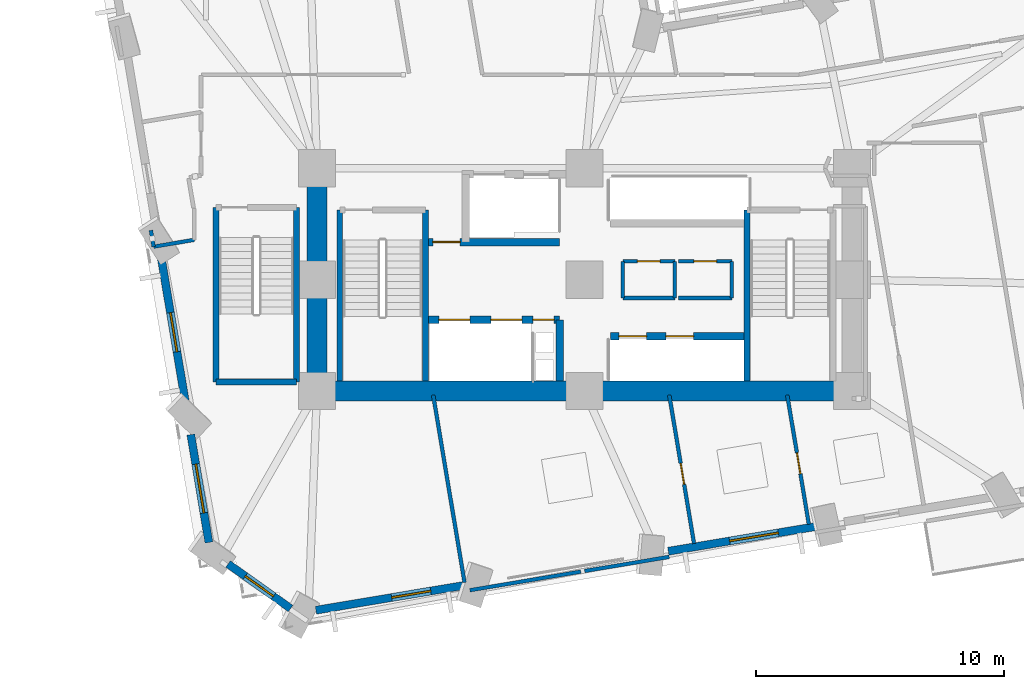
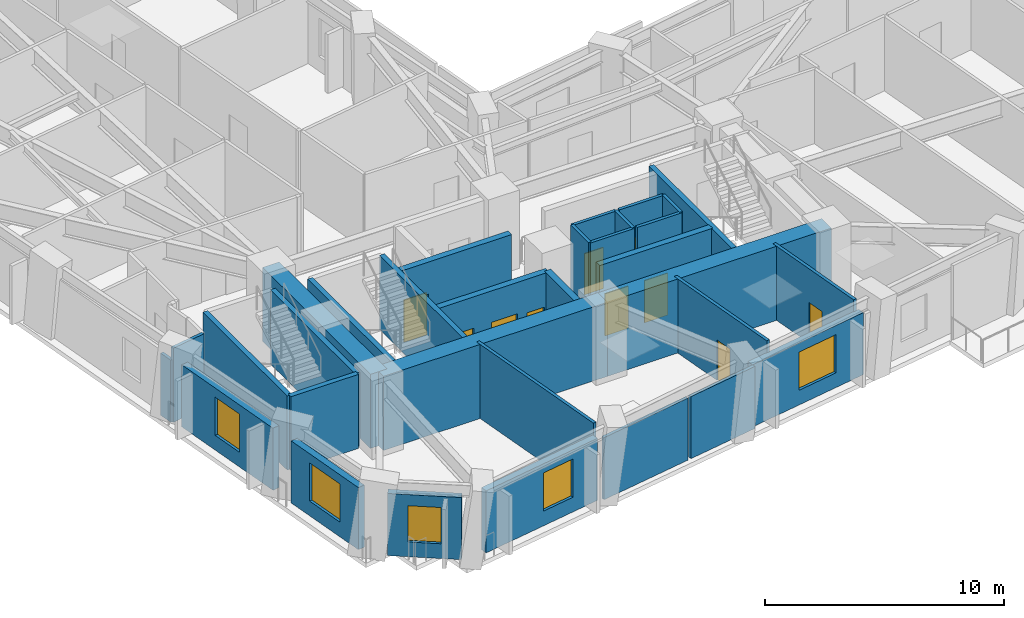
# One storey, part 8 of 16: 32 walls, 10 doors, 5 windows, 15 openings.
"""IFC4 building model written with IfcOpenShell, lengths in metres."""

from ifc_helpers import new_model, si_unit, direction, frame, frame_2d, origin, place, context, subcontext, project, spatial, rectangle, extrude, material, layer, layer_set, type_object, element, fill, save


model = new_model("IFC4")

# Units and contexts
model_context = context("Model", 3, precision=1e-05, world=origin(), true_north=direction((0.0, 1.0)))
body_context = subcontext(model_context, "Body", "Model", "MODEL_VIEW")
ifc_project = project(units=[si_unit("LENGTHUNIT", "METRE"), si_unit("AREAUNIT", "SQUARE_METRE"), si_unit("VOLUMEUNIT", "CUBIC_METRE"), si_unit("PLANEANGLEUNIT", "RADIAN"), si_unit("MASSUNIT", "GRAM", prefix="KILO")], contexts=[model_context])

# Site, building, storey
site_placement = place(None, origin())
site = spatial("IfcSite", under=ifc_project, at=site_placement, CompositionType="ELEMENT")
building_placement = place(site_placement, origin())
building = spatial("IfcBuilding", under=site, at=building_placement, Name="Gaonmaruhae Medical Tower", CompositionType="ELEMENT")
storey_placement = place(building_placement, frame((0.0, 0.0, 63.0)))
storey = spatial("IfcBuildingStorey", under=building, at=storey_placement, Name="L14", CompositionType="ELEMENT", Elevation=63.0)

# Walls
ifc_material_1 = material(Name="Concrete C60/75", Category="concrete")
ifc_layer_1 = layer(ifc_material_1, 0.800048828125)
ifc_layer_set_1 = layer_set([ifc_layer_1], Name="Concrete C60/75")
wall_type_1 = type_object("IfcWallType", Name="CW-800 Lower Core Shear Wall", PredefinedType="SHEAR", material=ifc_layer_set_1)
for number, where, z_axis, x_axis, name in (
    (1, (14.0, 7.800048828125, 0.0), (0.0, 0.0, 1.0), (1.0, 0.0, 0.0), "L14 Core Shear Wall CSW-S1"),
    (2, (24.800048828125, 7.800048828125, 0.0), (0.0, 0.0, 1.0), (1.0, 0.0, 0.0), "L14 Core Shear Wall CSW-S2"),
):
    element("IfcWall", number, at=place(storey_placement, frame(where, z_axis=z_axis, x_axis=x_axis)), inside=storey, type_object=wall_type_1, Name=name, PredefinedType="SHEAR", context=body_context, shape_type="SweptSolid", body=[
        extrude(rectangle(XDim=10.800048828125, YDim=0.800048828125, at=frame_2d((5.39990234375, 0.0))), origin(), (0.0, 0.0, 1.0), 3.780029296875),
    ])
wall_1_placement = place(storey_placement, frame((14.0, 16.800048828125, 0.0), z_axis=(0.0, 0.0, 1.0), x_axis=(0.0, -1.0, 0.0)))
element("IfcWall", 3, at=wall_1_placement, inside=storey, type_object=wall_type_1, Name="L14 Core Shear Wall CSW-W1", PredefinedType="SHEAR", context=body_context, shape_type="SweptSolid", body=[
    extrude(rectangle(XDim=9.0, YDim=0.800048828125, at=frame_2d((4.5, 0.0))), origin(), (0.0, 0.0, 1.0), 3.780029296875),
])

# Wall, opening, window
ifc_material_2 = material(Name="Precast concrete C45/55", Category="concrete")
ifc_layer_2 = layer(ifc_material_2, 0.320068359375)
ifc_layer_set_2 = layer_set([ifc_layer_2], Name="Precast concrete C45/55")
wall_type_2 = type_object("IfcWallType", Name="EW-320 Lower Precast Masonry-Frame Facade Wall", PredefinedType="SOLIDWALL", material=ifc_layer_set_2)
wall_2_placement = place(storey_placement, frame((19.908203125, -0.050537109375, 0.0), z_axis=(0.0, 0.0, 1.0), x_axis=(-0.986283266612, -0.165061558217, 0.0)))
wall_2 = element("IfcWall", 4, at=wall_2_placement, inside=storey, type_object=wall_type_2, Name="L14 Precast Masonry-Frame Wall S01-S02", PredefinedType="SOLIDWALL", context=body_context, shape_type="SweptSolid", body=[
    extrude(rectangle(XDim=6.03466796875, YDim=0.320068359375, at=frame_2d((3.017333984375, 0.0))), origin(), (0.0, 0.0, 1.0), 3.1650390625),
])
opening_1_placement = place(wall_2_placement, frame((1.333251953125, 0.0, 0.75)))
opening_1 = element("IfcOpeningElement", 5, at=opening_1_placement, cuts=wall_2, Name="Opening WN-01", PredefinedType="OPENING", context=body_context, shape_type="SweptSolid", body=[
    extrude(rectangle(XDim=1.60009765625, YDim=1.949951171875, at=frame_2d((0.800048828125, 0.97509765625))), frame((0.0, 0.169921875, 0.0), z_axis=(0.0, -1.0, 0.0), x_axis=(1.0, 0.0, 0.0)), (0.0, 0.0, 1.0), 0.340087890625),
])
ifc_material_3 = material(Name="Anodised aluminium and Low-E double glazing", Category="aluminium")
window_type_1 = type_object("IfcWindowType", Name="WN-01 Ward Punched Acoustic Window 1600x1950", PartitioningType="SINGLE_PANEL", PredefinedType="WINDOW", material=ifc_material_3)
window_1_placement = place(opening_1_placement, origin())
window_1 = element("IfcWindow", 6, at=window_1_placement, inside=storey, type_object=window_type_1, Name="L14 Modular Facade Window S01", OverallHeight=1.949951171875, OverallWidth=1.60009765625, PartitioningType="SINGLE_PANEL", PredefinedType="WINDOW", context=body_context, shape_type="SweptSolid", body=[
    extrude(rectangle(XDim=1.60009765625, YDim=1.949951171875, at=frame_2d((0.800048828125, 0.97509765625))), frame((0.0, 0.030029296875, 0.0), z_axis=(0.0, -1.0, 0.0), x_axis=(1.0, 0.0, 0.0)), (0.0, 0.0, 1.0), 0.06005859375),
])
fill(opening_1, window_1)

wall_3_placement = place(storey_placement, frame((34.09375, 2.3232421875, 0.0), z_axis=(0.0, 0.0, 1.0), x_axis=(-0.986286856303, -0.1650401075, 0.0)))
wall_3 = element("IfcWall", 7, at=wall_3_placement, inside=storey, type_object=wall_type_2, Name="L14 Precast Masonry-Frame Wall S03-S04", PredefinedType="SOLIDWALL", context=body_context, shape_type="SweptSolid", body=[
    extrude(rectangle(XDim=5.989501953125, YDim=0.320068359375, at=frame_2d((2.99462890625, 0.0))), origin(), (0.0, 0.0, 1.0), 3.1650390625),
])
opening_2_placement = place(wall_3_placement, frame((1.482177734375, 0.0, 0.75)))
opening_2 = element("IfcOpeningElement", 8, at=opening_2_placement, cuts=wall_3, Name="Opening WN-02", PredefinedType="OPENING", context=body_context, shape_type="SweptSolid", body=[
    extrude(rectangle(XDim=2.0, YDim=1.949951171875, at=frame_2d((1.0, 0.97509765625))), frame((0.0, 0.169921875, 0.0), z_axis=(0.0, -1.0, 0.0), x_axis=(1.0, 0.0, 0.0)), (0.0, 0.0, 1.0), 0.340087890625),
])
window_type_2 = type_object("IfcWindowType", Name="WN-02 Double-Bed Ward Punched Window 2000x1950", PartitioningType="SINGLE_PANEL", PredefinedType="WINDOW", material=ifc_material_3)
window_2_placement = place(opening_2_placement, origin())
window_2 = element("IfcWindow", 9, at=window_2_placement, inside=storey, type_object=window_type_2, Name="L14 Modular Facade Window S03", OverallHeight=1.949951171875, OverallWidth=2.0, PartitioningType="SINGLE_PANEL", PredefinedType="WINDOW", context=body_context, shape_type="SweptSolid", body=[
    extrude(rectangle(XDim=2.0, YDim=1.949951171875, at=frame_2d((1.0, 0.97509765625))), frame((0.0, 0.030029296875, 0.0), z_axis=(0.0, -1.0, 0.0), x_axis=(1.0, 0.0, 0.0)), (0.0, 0.0, 1.0), 0.06005859375),
])
fill(opening_2, window_2)

wall_4_placement = place(storey_placement, frame((8.7099609375, 7.22119140625, 0.0), z_axis=(0.0, 0.0, 1.0), x_axis=(-0.165039313738, 0.986286989127, 0.0)))
wall_4 = element("IfcWall", 10, at=wall_4_placement, inside=storey, type_object=wall_type_2, Name="L14 Precast Masonry-Frame Wall W05-W06", PredefinedType="SOLIDWALL", context=body_context, shape_type="SweptSolid", body=[
    extrude(rectangle(XDim=5.9970703125, YDim=0.320068359375, at=frame_2d((2.99853515625, 0.0))), origin(), (0.0, 0.0, 1.0), 3.1650390625),
])
opening_3_placement = place(wall_4_placement, frame((2.200439453125, 0.0, 0.75)))
opening_3 = element("IfcOpeningElement", 11, at=opening_3_placement, cuts=wall_4, Name="Opening WN-01", PredefinedType="OPENING", context=body_context, shape_type="SweptSolid", body=[
    extrude(rectangle(XDim=1.60009765625, YDim=1.949951171875, at=frame_2d((0.800048828125, 0.97509765625))), frame((0.0, 0.169921875, 0.0), z_axis=(0.0, -1.0, 0.0), x_axis=(1.0, 0.0, 0.0)), (0.0, 0.0, 1.0), 0.340087890625),
])
window_3_placement = place(opening_3_placement, origin())
window_3 = element("IfcWindow", 12, at=window_3_placement, inside=storey, type_object=window_type_1, Name="L14 Modular Facade Window W05", OverallHeight=1.949951171875, OverallWidth=1.60009765625, PartitioningType="SINGLE_PANEL", PredefinedType="WINDOW", context=body_context, shape_type="SweptSolid", body=[
    extrude(rectangle(XDim=1.60009765625, YDim=1.949951171875, at=frame_2d((0.800048828125, 0.97509765625))), frame((0.0, 0.030029296875, 0.0), z_axis=(0.0, -1.0, 0.0), x_axis=(1.0, 0.0, 0.0)), (0.0, 0.0, 1.0), 0.06005859375),
])
fill(opening_3, window_3)

wall_5_placement = place(storey_placement, frame((9.635986328125, 1.687744140625, 0.0), z_axis=(0.0, 0.0, 1.0), x_axis=(-0.165062294919, 0.986283143319, 0.0)))
wall_5 = element("IfcWall", 13, at=wall_5_placement, inside=storey, type_object=wall_type_2, Name="L14 Precast Masonry-Frame Wall W06-W07", PredefinedType="SOLIDWALL", context=body_context, shape_type="SweptSolid", body=[
    extrude(rectangle(XDim=4.41650390625, YDim=0.320068359375, at=frame_2d((2.208251953125, 0.0))), origin(), (0.0, 0.0, 1.0), 3.1650390625),
])
opening_4_placement = place(wall_5_placement, frame((1.210693359375, 0.0, 0.75)))
opening_4 = element("IfcOpeningElement", 14, at=opening_4_placement, cuts=wall_5, Name="Opening WN-02", PredefinedType="OPENING", context=body_context, shape_type="SweptSolid", body=[
    extrude(rectangle(XDim=2.0, YDim=1.949951171875, at=frame_2d((1.0, 0.97509765625))), frame((0.0, 0.169921875, 0.0), z_axis=(0.0, -1.0, 0.0), x_axis=(1.0, 0.0, 0.0)), (0.0, 0.0, 1.0), 0.340087890625),
])
window_4_placement = place(opening_4_placement, origin())
window_4 = element("IfcWindow", 15, at=window_4_placement, inside=storey, type_object=window_type_2, Name="L14 Modular Facade Window W06", OverallHeight=1.949951171875, OverallWidth=2.0, PartitioningType="SINGLE_PANEL", PredefinedType="WINDOW", context=body_context, shape_type="SweptSolid", body=[
    extrude(rectangle(XDim=2.0, YDim=1.949951171875, at=frame_2d((1.0, 0.97509765625))), frame((0.0, 0.030029296875, 0.0), z_axis=(0.0, -1.0, 0.0), x_axis=(1.0, 0.0, 0.0)), (0.0, 0.0, 1.0), 0.06005859375),
])
fill(opening_4, window_4)

wall_6_placement = place(storey_placement, frame((12.934814453125, -0.977783203125, 0.0), z_axis=(0.0, 0.0, 1.0), x_axis=(-0.814121870849, 0.580694049741, 0.0)))
wall_6 = element("IfcWall", 16, at=wall_6_placement, inside=storey, type_object=wall_type_2, Name="L14 Precast Masonry-Frame Wall W07-S01", PredefinedType="SOLIDWALL", context=body_context, shape_type="SweptSolid", body=[
    extrude(rectangle(XDim=3.098876953125, YDim=0.320068359375, at=frame_2d((1.54931640625, 0.0))), origin(), (0.0, 0.0, 1.0), 3.1650390625),
])
opening_5_placement = place(wall_6_placement, frame((0.84912109375, 0.0, 0.75)))
opening_5 = element("IfcOpeningElement", 17, at=opening_5_placement, cuts=wall_6, Name="Opening WN-03", PredefinedType="OPENING", context=body_context, shape_type="SweptSolid", body=[
    extrude(rectangle(XDim=1.39990234375, YDim=1.85009765625, at=frame_2d((0.699951171875, 0.925048828125))), frame((0.0, 0.169921875, 0.0), z_axis=(0.0, -1.0, 0.0), x_axis=(1.0, 0.0, 0.0)), (0.0, 0.0, 1.0), 0.340087890625),
])
window_type_3 = type_object("IfcWindowType", Name="WN-03 Isolation Ward Punched Window 1400x1850", PartitioningType="SINGLE_PANEL", PredefinedType="WINDOW", material=ifc_material_3)
window_5_placement = place(opening_5_placement, origin())
window_5 = element("IfcWindow", 18, at=window_5_placement, inside=storey, type_object=window_type_3, Name="L14 Modular Facade Window W07", OverallHeight=1.85009765625, OverallWidth=1.39990234375, PartitioningType="SINGLE_PANEL", PredefinedType="WINDOW", context=body_context, shape_type="SweptSolid", body=[
    extrude(rectangle(XDim=1.39990234375, YDim=1.85009765625, at=frame_2d((0.699951171875, 0.925048828125))), frame((0.0, 0.030029296875, 0.0), z_axis=(0.0, -1.0, 0.0), x_axis=(1.0, 0.0, 0.0)), (0.0, 0.0, 1.0), 0.06005859375),
])
fill(opening_5, window_5)

# Wall
ifc_material_4 = material(Name="Gypsum board partition", Category="gypsum")
ifc_layer_3 = layer(ifc_material_4, 0.14990234375)
ifc_layer_set_3 = layer_set([ifc_layer_3], Name="Gypsum board partition")
wall_type_3 = type_object("IfcWallType", Name="PW-150 Rated Clinical Corridor Partition", PredefinedType="PARTITIONING", material=ifc_layer_set_3)
wall_7_placement = place(storey_placement, frame((26.35009765625, 11.56005859375, 0.0), z_axis=(0.0, 0.0, 1.0), x_axis=(0.0, 1.0, 0.0)))
element("IfcWall", 19, at=wall_7_placement, inside=storey, type_object=wall_type_3, Name="L14 Interior Partition L14-CS1-1", PredefinedType="PARTITIONING", context=body_context, shape_type="SweptSolid", body=[
    extrude(rectangle(XDim=1.47998046875, YDim=0.14990234375, at=frame_2d((0.739990234375, 0.0))), origin(), (0.0, 0.0, 1.0), 3.780029296875),
])

# Wall, opening, door
wall_8_placement = place(storey_placement, frame((26.35009765625, 13.0400390625, 0.0), z_axis=(0.0, 0.0, 1.0), x_axis=(1.0, 0.0, 0.0)))
wall_8 = element("IfcWall", 20, at=wall_8_placement, inside=storey, type_object=wall_type_3, Name="L14 Interior Partition L14-CS1-2", PredefinedType="PARTITIONING", context=body_context, shape_type="SweptSolid", body=[
    extrude(rectangle(XDim=2.099853515625, YDim=0.14990234375, at=frame_2d((1.0498046875, 0.0))), origin(), (0.0, 0.0, 1.0), 3.780029296875),
])
opening_6_placement = place(wall_8_placement, frame((0.590087890625, 0.0, 0.0)))
opening_6 = element("IfcOpeningElement", 21, at=opening_6_placement, cuts=wall_8, Name="Opening UD-01", PredefinedType="OPENING", context=body_context, shape_type="SweptSolid", body=[
    extrude(rectangle(XDim=0.919921875, YDim=2.10009765625, at=frame_2d((0.4599609375, 1.050048828125))), frame((0.0, 0.0849609375, 0.0), z_axis=(0.0, -1.0, 0.0), x_axis=(1.0, 0.0, 0.0)), (0.0, 0.0, 1.0), 0.169921875),
])
ifc_material_5 = material(Name="Powder-coated steel utility door", Category="steel")
door_type_1 = type_object("IfcDoorType", Name="UD-01 Toilet, Utility & Housekeeping Door 920x2100", OperationType="NOTDEFINED", PredefinedType="DOOR", material=ifc_material_5)
door_1_placement = place(opening_6_placement, origin())
door_1 = element("IfcDoor", 22, at=door_1_placement, inside=storey, type_object=door_type_1, Name="L14 Accessible Staff Toilet Door", OperationType="SINGLE_SWING_RIGHT", OverallHeight=2.10009765625, OverallWidth=0.919921875, PredefinedType="DOOR", context=body_context, shape_type="SweptSolid", body=[
    extrude(rectangle(XDim=0.919921875, YDim=2.10009765625, at=frame_2d((0.4599609375, 1.050048828125))), frame((0.0, 0.02490234375, 0.0), z_axis=(0.0, -1.0, 0.0), x_axis=(1.0, 0.0, 0.0)), (0.0, 0.0, 1.0), 0.050048828125),
])
fill(opening_6, door_1)

# Walls
wall_9_placement = place(storey_placement, frame((28.449951171875, 13.0400390625, 0.0), z_axis=(0.0, 0.0, 1.0), x_axis=(0.0, -1.0, 0.0)))
element("IfcWall", 23, at=wall_9_placement, inside=storey, type_object=wall_type_3, Name="L14 Interior Partition L14-CS1-3", PredefinedType="PARTITIONING", context=body_context, shape_type="SweptSolid", body=[
    extrude(rectangle(XDim=1.47998046875, YDim=0.14990234375, at=frame_2d((0.739990234375, 0.0))), origin(), (0.0, 0.0, 1.0), 3.780029296875),
])
wall_10_placement = place(storey_placement, frame((28.449951171875, 11.56005859375, 0.0), z_axis=(0.0, 0.0, 1.0), x_axis=(-1.0, 0.0, 0.0)))
element("IfcWall", 24, at=wall_10_placement, inside=storey, type_object=wall_type_3, Name="L14 Interior Partition L14-CS1-4", PredefinedType="PARTITIONING", context=body_context, shape_type="SweptSolid", body=[
    extrude(rectangle(XDim=2.099853515625, YDim=0.14990234375, at=frame_2d((1.0498046875, 0.0))), origin(), (0.0, 0.0, 1.0), 3.780029296875),
])

# Wall, opening, door
wall_11_placement = place(storey_placement, frame((28.60009765625, 13.0400390625, 0.0), z_axis=(0.0, 0.0, 1.0), x_axis=(1.0, 0.0, 0.0)))
wall_11 = element("IfcWall", 25, at=wall_11_placement, inside=storey, type_object=wall_type_3, Name="L14 Interior Partition L14-CS2-5", PredefinedType="PARTITIONING", context=body_context, shape_type="SweptSolid", body=[
    extrude(rectangle(XDim=2.14990234375, YDim=0.14990234375, at=frame_2d((1.074951171875, 0.0))), origin(), (0.0, 0.0, 1.0), 3.780029296875),
])
opening_7_placement = place(wall_11_placement, frame((0.614990234375, 0.0, 0.0)))
opening_7 = element("IfcOpeningElement", 26, at=opening_7_placement, cuts=wall_11, Name="Opening UD-01", PredefinedType="OPENING", context=body_context, shape_type="SweptSolid", body=[
    extrude(rectangle(XDim=0.919921875, YDim=2.10009765625, at=frame_2d((0.4599609375, 1.050048828125))), frame((0.0, 0.0849609375, 0.0), z_axis=(0.0, -1.0, 0.0), x_axis=(1.0, 0.0, 0.0)), (0.0, 0.0, 1.0), 0.169921875),
])
door_2_placement = place(opening_7_placement, origin())
door_2 = element("IfcDoor", 27, at=door_2_placement, inside=storey, type_object=door_type_1, Name="L14 Biomedical Telemetry Closet Door", OperationType="SINGLE_SWING_LEFT", OverallHeight=2.10009765625, OverallWidth=0.919921875, PredefinedType="DOOR", context=body_context, shape_type="SweptSolid", body=[
    extrude(rectangle(XDim=0.919921875, YDim=2.10009765625, at=frame_2d((0.4599609375, 1.050048828125))), frame((0.0, 0.02490234375, 0.0), z_axis=(0.0, -1.0, 0.0), x_axis=(1.0, 0.0, 0.0)), (0.0, 0.0, 1.0), 0.050048828125),
])
fill(opening_7, door_2)

# Walls
wall_12_placement = place(storey_placement, frame((30.75, 13.0400390625, 0.0), z_axis=(0.0, 0.0, 1.0), x_axis=(0.0, -1.0, 0.0)))
element("IfcWall", 28, at=wall_12_placement, inside=storey, type_object=wall_type_3, Name="L14 Interior Partition L14-CS2-6", PredefinedType="PARTITIONING", context=body_context, shape_type="SweptSolid", body=[
    extrude(rectangle(XDim=1.47998046875, YDim=0.14990234375, at=frame_2d((0.739990234375, 0.0))), origin(), (0.0, 0.0, 1.0), 3.780029296875),
])
wall_13_placement = place(storey_placement, frame((30.75, 11.56005859375, 0.0), z_axis=(0.0, 0.0, 1.0), x_axis=(-1.0, 0.0, 0.0)))
element("IfcWall", 29, at=wall_13_placement, inside=storey, type_object=wall_type_3, Name="L14 Interior Partition L14-CS2-7", PredefinedType="PARTITIONING", context=body_context, shape_type="SweptSolid", body=[
    extrude(rectangle(XDim=2.14990234375, YDim=0.14990234375, at=frame_2d((1.074951171875, 0.0))), origin(), (0.0, 0.0, 1.0), 3.780029296875),
])
wall_14_placement = place(storey_placement, frame((18.69189453125, 7.64208984375, 0.0), z_axis=(0.0, 0.0, 1.0), x_axis=(0.165126417203, -0.986272409805, 0.0)))
element("IfcWall", 30, at=wall_14_placement, inside=storey, type_object=wall_type_3, Name="L14 Interior Partition L14-SUP02-9", PredefinedType="PARTITIONING", context=body_context, shape_type="SweptSolid", body=[
    extrude(rectangle(XDim=7.67333984375, YDim=0.14990234375, at=frame_2d((3.836669921875, 0.0))), origin(), (0.0, 0.0, 1.0), 3.780029296875),
])
wall_15_placement = place(storey_placement, frame((24.65087890625, 0.510009765625, 0.0), z_axis=(0.0, 0.0, 1.0), x_axis=(-0.986290516722, -0.165018231188, 0.0)))
element("IfcWall", 31, at=wall_15_placement, inside=storey, type_object=wall_type_3, Name="L14 Interior Partition L14-SUP03-10", PredefinedType="PARTITIONING", context=body_context, shape_type="SweptSolid", body=[
    extrude(rectangle(XDim=4.5390625, YDim=0.14990234375, at=frame_2d((2.26953125, 0.0))), origin(), (0.0, 0.0, 1.0), 3.1650390625),
])
wall_16_placement = place(storey_placement, frame((28.22412109375, 1.10791015625, 0.0), z_axis=(0.0, 0.0, 1.0), x_axis=(-0.986260206386, -0.165199289646, 0.0)))
element("IfcWall", 32, at=wall_16_placement, inside=storey, type_object=wall_type_3, Name="L14 Interior Partition L14-SUP04-12", PredefinedType="PARTITIONING", context=body_context, shape_type="SweptSolid", body=[
    extrude(rectangle(XDim=3.462646484375, YDim=0.14990234375, at=frame_2d((1.7314453125, 0.0))), origin(), (0.0, 0.0, 1.0), 3.1650390625),
])

# Wall, opening, door
wall_17_placement = place(storey_placement, frame((28.22412109375, 7.64208984375, 0.0), z_axis=(0.0, 0.0, 1.0), x_axis=(0.164972035395, -0.98629824472, 0.0)))
wall_17 = element("IfcWall", 33, at=wall_17_placement, inside=storey, type_object=wall_type_3, Name="L14 Interior Partition L14-SUP04-13", PredefinedType="PARTITIONING", context=body_context, shape_type="SweptSolid", body=[
    extrude(rectangle(XDim=6.079345703125, YDim=0.14990234375, at=frame_2d((3.03955078125, 0.0))), origin(), (0.0, 0.0, 1.0), 3.780029296875),
])
opening_8_placement = place(wall_17_placement, frame((2.7998046875, 0.0, 0.0)))
opening_8 = element("IfcOpeningElement", 34, at=opening_8_placement, cuts=wall_17, Name="Opening AD-01", PredefinedType="OPENING", context=body_context, shape_type="SweptSolid", body=[
    extrude(rectangle(XDim=0.860107421875, YDim=2.06005859375, at=frame_2d((0.43017578125, 1.030029296875))), frame((0.0, 0.0849609375, 0.0), z_axis=(0.0, -1.0, 0.0), x_axis=(1.0, 0.0, 0.0)), (0.0, 0.0, 1.0), 0.169921875),
])
ifc_material_6 = material(Name="Powder-coated steel access door", Category="steel")
door_type_2 = type_object("IfcDoorType", Name="AD-01 Riser & Closet Access Fire Door 860x2060", OperationType="NOTDEFINED", PredefinedType="DOOR", material=ifc_material_6)
door_3_placement = place(opening_8_placement, origin())
door_3 = element("IfcDoor", 35, at=door_3_placement, inside=storey, type_object=door_type_2, Name="L14 Clinical Biomedical Charting Office Sliding Door", OperationType="SLIDING_TO_LEFT", OverallHeight=2.06005859375, OverallWidth=0.860107421875, PredefinedType="DOOR", context=body_context, shape_type="SweptSolid", body=[
    extrude(rectangle(XDim=0.860107421875, YDim=2.06005859375, at=frame_2d((0.43017578125, 1.030029296875))), frame((0.0, 0.02490234375, 0.0), z_axis=(0.0, -1.0, 0.0), x_axis=(1.0, 0.0, 0.0)), (0.0, 0.0, 1.0), 0.050048828125),
])
fill(opening_8, door_3)

wall_18_placement = place(storey_placement, frame((32.988037109375, 7.64208984375, 0.0), z_axis=(0.0, 0.0, 1.0), x_axis=(0.165101931281, -0.986276509042, 0.0)))
wall_18 = element("IfcWall", 36, at=wall_18_placement, inside=storey, type_object=wall_type_3, Name="L14 Interior Partition L14-SUP05-14", PredefinedType="PARTITIONING", context=body_context, shape_type="SweptSolid", body=[
    extrude(rectangle(XDim=5.2939453125, YDim=0.14990234375, at=frame_2d((2.64697265625, 0.0))), origin(), (0.0, 0.0, 1.0), 3.780029296875),
])
opening_9_placement = place(wall_18_placement, frame((2.368896484375, 0.0, 0.0)))
opening_9 = element("IfcOpeningElement", 37, at=opening_9_placement, cuts=wall_18, Name="Opening AD-01", PredefinedType="OPENING", context=body_context, shape_type="SweptSolid", body=[
    extrude(rectangle(XDim=0.860107421875, YDim=2.06005859375, at=frame_2d((0.43017578125, 1.030029296875))), frame((0.0, 0.0849609375, 0.0), z_axis=(0.0, -1.0, 0.0), x_axis=(1.0, 0.0, 0.0)), (0.0, 0.0, 1.0), 0.169921875),
])
door_4_placement = place(opening_9_placement, origin())
door_4 = element("IfcDoor", 38, at=door_4_placement, inside=storey, type_object=door_type_2, Name="L14 Clinical Biomedical Charting Office Sliding Door", OperationType="SLIDING_TO_LEFT", OverallHeight=2.06005859375, OverallWidth=0.860107421875, PredefinedType="DOOR", context=body_context, shape_type="SweptSolid", body=[
    extrude(rectangle(XDim=0.860107421875, YDim=2.06005859375, at=frame_2d((0.43017578125, 1.030029296875))), frame((0.0, 0.02490234375, 0.0), z_axis=(0.0, -1.0, 0.0), x_axis=(1.0, 0.0, 0.0)), (0.0, 0.0, 1.0), 0.050048828125),
])
fill(opening_9, door_4)

# Walls
wall_19_placement = place(storey_placement, frame((9.050048828125, 13.908935546875, 0.0), z_axis=(0.0, 0.0, 1.0), x_axis=(-0.986243274851, -0.165300341231, 0.0)))
element("IfcWall", 39, at=wall_19_placement, inside=storey, type_object=wall_type_3, Name="L14 Interior Partition L14-WOF12-43", PredefinedType="PARTITIONING", context=body_context, shape_type="SweptSolid", body=[
    extrude(rectangle(XDim=1.6689453125, YDim=0.14990234375, at=frame_2d((0.83447265625, 0.0))), origin(), (0.0, 0.0, 1.0), 3.780029296875),
])
wall_20_placement = place(storey_placement, frame((7.404052734375, 13.633056640625, 0.0), z_axis=(0.0, 0.0, 1.0), x_axis=(-0.164813797451, 0.986324699158, 0.0)))
element("IfcWall", 40, at=wall_20_placement, inside=storey, type_object=wall_type_3, Name="L14 Interior Partition L14-WOF12-44", PredefinedType="PARTITIONING", context=body_context, shape_type="SweptSolid", body=[
    extrude(rectangle(XDim=0.66796875, YDim=0.14990234375, at=frame_2d((0.333984375, 0.0))), origin(), (0.0, 0.0, 1.0), 3.1650390625),
])
ifc_material_7 = material(Name="Concrete C50/60", Category="concrete")
ifc_layer_4 = layer(ifc_material_7, 0.239990234375)
ifc_layer_set_4 = layer_set([ifc_layer_4], Name="Concrete C50/60")
wall_type_4 = type_object("IfcWallType", Name="SW-240 Dogleg Stair Tight Shaft Wall", PredefinedType="SOLIDWALL", material=ifc_layer_set_4)
for number, where, z_axis, x_axis, name in (
    (41, (18.3798828125, 15.1201171875, 0.0), (0.0, 0.0, 1.0), (0.0, -1.0, 0.0), "L14 ST-01 Stair Shaft Wall SHW-ST-01-E"),
    (42, (14.919921875, 8.199951171875, 0.0), (0.0, 0.0, 1.0), (0.0, 1.0, 0.0), "L14 ST-01 Stair Shaft Wall SHW-ST-01-W"),
    (43, (31.3701171875, 8.199951171875, 0.0), (0.0, 0.0, 1.0), (0.0, 1.0, 0.0), "L14 ST-02 Stair Shaft Wall SHW-ST-02-W"),
):
    element("IfcWall", number, at=place(storey_placement, frame(where, z_axis=z_axis, x_axis=x_axis)), inside=storey, type_object=wall_type_4, Name=name, PredefinedType="SOLIDWALL", context=body_context, shape_type="SweptSolid", body=[
        extrude(rectangle(XDim=6.920166015625, YDim=0.239990234375, at=frame_2d((3.4599609375, 0.0))), origin(), (0.0, 0.0, 1.0), 3.780029296875),
    ])
wall_21_placement = place(storey_placement, frame((13.179931640625, 15.219970703125, 0.0), z_axis=(0.0, 0.0, 1.0), x_axis=(0.0, -1.0, 0.0)))
element("IfcWall", 44, at=wall_21_placement, inside=storey, type_object=wall_type_4, Name="L14 ST-03 Stair Shaft Wall SHW-ST-03-E", PredefinedType="SOLIDWALL", context=body_context, shape_type="SweptSolid", body=[
    extrude(rectangle(XDim=7.050048828125, YDim=0.239990234375, at=frame_2d((3.52490234375, 0.0))), origin(), (0.0, 0.0, 1.0), 3.780029296875),
])
wall_22_placement = place(storey_placement, frame((13.179931640625, 8.169921875, 0.0), z_axis=(0.0, 0.0, 1.0), x_axis=(-1.0, 0.0, 0.0)))
element("IfcWall", 45, at=wall_22_placement, inside=storey, type_object=wall_type_4, Name="L14 ST-03 Stair Shaft Wall SHW-ST-03-S", PredefinedType="SOLIDWALL", context=body_context, shape_type="SweptSolid", body=[
    extrude(rectangle(XDim=3.260009765625, YDim=0.239990234375, at=frame_2d((1.6298828125, 0.0))), origin(), (0.0, 0.0, 1.0), 3.780029296875),
])
wall_23_placement = place(storey_placement, frame((9.919921875, 8.169921875, 0.0), z_axis=(0.0, 0.0, 1.0), x_axis=(0.0, 1.0, 0.0)))
element("IfcWall", 46, at=wall_23_placement, inside=storey, type_object=wall_type_4, Name="L14 ST-03 Stair Shaft Wall SHW-ST-03-W", PredefinedType="SOLIDWALL", context=body_context, shape_type="SweptSolid", body=[
    extrude(rectangle(XDim=7.050048828125, YDim=0.239990234375, at=frame_2d((3.52490234375, 0.0))), origin(), (0.0, 0.0, 1.0), 3.780029296875),
])

# Wall, openings, doors
ifc_layer_5 = layer(ifc_material_7, 0.300048828125)
ifc_layer_set_5 = layer_set([ifc_layer_5], Name="Concrete C50/60")
wall_type_5 = type_object("IfcWallType", Name="SW-300 Stair & Lift Hoistway Shaft Wall", PredefinedType="SOLIDWALL", material=ifc_layer_set_5)
wall_24_placement = place(storey_placement, frame((18.5, 10.679931640625, 0.0), z_axis=(0.0, 0.0, 1.0), x_axis=(1.0, 0.0, 0.0)))
wall_24 = element("IfcWall", 47, at=wall_24_placement, inside=storey, type_object=wall_type_5, Name="L14 Shaft Enclosure Wall SHW-FFN", PredefinedType="SOLIDWALL", context=body_context, shape_type="SweptSolid", body=[
    extrude(rectangle(XDim=5.300048828125, YDim=0.300048828125, at=frame_2d((2.64990234375, 0.0))), origin(), (0.0, 0.0, 1.0), 3.780029296875),
])
opening_10_placement = place(wall_24_placement, frame((4.219970703125, 0.0, 0.0)))
opening_10 = element("IfcOpeningElement", 48, at=opening_10_placement, cuts=wall_24, Name="Opening AD-01", PredefinedType="OPENING", context=body_context, shape_type="SweptSolid", body=[
    extrude(rectangle(XDim=0.860107421875, YDim=2.06005859375, at=frame_2d((0.43017578125, 1.030029296875))), frame((0.0, 0.16015625, 0.0), z_axis=(0.0, -1.0, 0.0), x_axis=(1.0, 0.0, 0.0)), (0.0, 0.0, 1.0), 0.320068359375),
])
opening_11_placement = place(wall_24_placement, frame((0.425048828125, 0.0, 0.0)))
opening_11 = element("IfcOpeningElement", 49, at=opening_11_placement, cuts=wall_24, Name="Opening LD-F1", PredefinedType="OPENING", context=body_context, shape_type="SweptSolid", body=[
    extrude(rectangle(XDim=1.25, YDim=2.179931640625, at=frame_2d((0.625, 1.08984375))), frame((0.0, 0.16015625, 0.0), z_axis=(0.0, -1.0, 0.0), x_axis=(1.0, 0.0, 0.0)), (0.0, 0.0, 1.0), 0.320068359375),
])
opening_12_placement = place(wall_24_placement, frame((2.52490234375, 0.0, 0.0)))
opening_12 = element("IfcOpeningElement", 50, at=opening_12_placement, cuts=wall_24, Name="Opening LD-F1", PredefinedType="OPENING", context=body_context, shape_type="SweptSolid", body=[
    extrude(rectangle(XDim=1.25, YDim=2.179931640625, at=frame_2d((0.625, 1.08984375))), frame((0.0, 0.16015625, 0.0), z_axis=(0.0, -1.0, 0.0), x_axis=(1.0, 0.0, 0.0)), (0.0, 0.0, 1.0), 0.320068359375),
])
door_5_placement = place(opening_10_placement, origin())
door_5 = element("IfcDoor", 51, at=door_5_placement, inside=storey, type_object=door_type_2, Name="L14 Medical Gas and MEP Riser Access Door", OperationType="SINGLE_SWING_RIGHT", OverallHeight=2.06005859375, OverallWidth=0.860107421875, PredefinedType="DOOR", context=body_context, shape_type="SweptSolid", body=[
    extrude(rectangle(XDim=0.860107421875, YDim=2.06005859375, at=frame_2d((0.43017578125, 1.030029296875))), frame((0.0, 0.02490234375, 0.0), z_axis=(0.0, -1.0, 0.0), x_axis=(1.0, 0.0, 0.0)), (0.0, 0.0, 1.0), 0.050048828125),
])
fill(opening_10, door_5)
ifc_material_8 = material(Name="Brushed stainless steel 316L landing door", Category="steel")
door_type_3 = type_object("IfcDoorType", Name="LD-F1 Firefighting & Bed Lift Sliding Landing Door 1250x2180", OperationType="NOTDEFINED", PredefinedType="DOOR", material=ifc_material_8)
door_6_placement = place(opening_11_placement, origin())
door_6 = element("IfcDoor", 52, at=door_6_placement, inside=storey, type_object=door_type_3, Name="L14 Firefighting Lift Landing Door FFL-01", OperationType="DOUBLE_DOOR_SLIDING", OverallHeight=2.179931640625, OverallWidth=1.25, PredefinedType="DOOR", context=body_context, shape_type="SweptSolid", body=[
    extrude(rectangle(XDim=1.25, YDim=2.179931640625, at=frame_2d((0.625, 1.08984375))), frame((0.0, 0.02490234375, 0.0), z_axis=(0.0, -1.0, 0.0), x_axis=(1.0, 0.0, 0.0)), (0.0, 0.0, 1.0), 0.050048828125),
])
fill(opening_11, door_6)
door_7_placement = place(opening_12_placement, origin())
door_7 = element("IfcDoor", 53, at=door_7_placement, inside=storey, type_object=door_type_3, Name="L14 Firefighting Lift Landing Door FFL-02", OperationType="DOUBLE_DOOR_SLIDING", OverallHeight=2.179931640625, OverallWidth=1.25, PredefinedType="DOOR", context=body_context, shape_type="SweptSolid", body=[
    extrude(rectangle(XDim=1.25, YDim=2.179931640625, at=frame_2d((0.625, 1.08984375))), frame((0.0, 0.02490234375, 0.0), z_axis=(0.0, -1.0, 0.0), x_axis=(1.0, 0.0, 0.0)), (0.0, 0.0, 1.0), 0.050048828125),
])
fill(opening_12, door_7)

# Wall, opening, door
wall_25_placement = place(storey_placement, frame((18.5, 13.820068359375, 0.0), z_axis=(0.0, 0.0, 1.0), x_axis=(1.0, 0.0, 0.0)))
wall_25 = element("IfcWall", 54, at=wall_25_placement, inside=storey, type_object=wall_type_5, Name="L14 Shaft Enclosure Wall SHW-FFL", PredefinedType="SOLIDWALL", context=body_context, shape_type="SweptSolid", body=[
    extrude(rectangle(XDim=5.300048828125, YDim=0.300048828125, at=frame_2d((2.64990234375, 0.0))), origin(), (0.0, 0.0, 1.0), 3.780029296875),
])
opening_13_placement = place(wall_25_placement, frame((0.179931640625, 0.0, 0.0)))
opening_13 = element("IfcOpeningElement", 55, at=opening_13_placement, cuts=wall_25, Name="Opening FD-01", PredefinedType="OPENING", context=body_context, shape_type="SweptSolid", body=[
    extrude(rectangle(XDim=1.10009765625, YDim=2.14990234375, at=frame_2d((0.550048828125, 1.074951171875))), frame((0.0, 0.16015625, 0.0), z_axis=(0.0, -1.0, 0.0), x_axis=(1.0, 0.0, 0.0)), (0.0, 0.0, 1.0), 0.320068359375),
])
ifc_material_9 = material(Name="Powder-coated steel fire door", Category="steel")
door_type_4 = type_object("IfcDoorType", Name="FD-01 Escape Stair Protected Fire Door 1100x2150", OperationType="NOTDEFINED", PredefinedType="DOOR", material=ifc_material_9)
door_8_placement = place(opening_13_placement, origin())
door_8 = element("IfcDoor", 56, at=door_8_placement, inside=storey, type_object=door_type_4, Name="L14 Firefighting Lobby Smoke Door", OperationType="SINGLE_SWING_LEFT", OverallHeight=2.14990234375, OverallWidth=1.10009765625, PredefinedType="DOOR", context=body_context, shape_type="SweptSolid", body=[
    extrude(rectangle(XDim=1.10009765625, YDim=2.14990234375, at=frame_2d((0.550048828125, 1.074951171875))), frame((0.0, 0.02490234375, 0.0), z_axis=(0.0, -1.0, 0.0), x_axis=(1.0, 0.0, 0.0)), (0.0, 0.0, 1.0), 0.050048828125),
])
fill(opening_13, door_8)

# Wall
wall_26_placement = place(storey_placement, frame((23.800048828125, 8.199951171875, 0.0), z_axis=(0.0, 0.0, 1.0), x_axis=(0.0, 1.0, 0.0)))
element("IfcWall", 57, at=wall_26_placement, inside=storey, type_object=wall_type_5, Name="L14 Shaft Enclosure Wall SHW-FFE", PredefinedType="SOLIDWALL", context=body_context, shape_type="SweptSolid", body=[
    extrude(rectangle(XDim=2.47998046875, YDim=0.300048828125, at=frame_2d((1.239990234375, 0.0))), origin(), (0.0, 0.0, 1.0), 3.780029296875),
])

# Wall, openings, doors
wall_27_placement = place(storey_placement, frame((25.85009765625, 10.02001953125, 0.0), z_axis=(0.0, 0.0, 1.0), x_axis=(1.0, 0.0, 0.0)))
wall_27 = element("IfcWall", 58, at=wall_27_placement, inside=storey, type_object=wall_type_5, Name="L14 Shaft Enclosure Wall SHW-PLS", PredefinedType="SOLIDWALL", context=body_context, shape_type="SweptSolid", body=[
    extrude(rectangle(XDim=5.449951171875, YDim=0.300048828125, at=frame_2d((2.72509765625, 0.0))), origin(), (0.0, 0.0, 1.0), 3.780029296875),
])
opening_14_placement = place(wall_27_placement, frame((0.340087890625, 0.0, 0.0)))
opening_14 = element("IfcOpeningElement", 59, at=opening_14_placement, cuts=wall_27, Name="Opening LD-P1", PredefinedType="OPENING", context=body_context, shape_type="SweptSolid", body=[
    extrude(rectangle(XDim=1.1201171875, YDim=2.14990234375, at=frame_2d((0.56005859375, 1.074951171875))), frame((0.0, 0.16015625, 0.0), z_axis=(0.0, -1.0, 0.0), x_axis=(1.0, 0.0, 0.0)), (0.0, 0.0, 1.0), 0.320068359375),
])
opening_15_placement = place(wall_27_placement, frame((2.239990234375, 0.0, 0.0)))
opening_15 = element("IfcOpeningElement", 60, at=opening_15_placement, cuts=wall_27, Name="Opening LD-P1", PredefinedType="OPENING", context=body_context, shape_type="SweptSolid", body=[
    extrude(rectangle(XDim=1.1201171875, YDim=2.14990234375, at=frame_2d((0.56005859375, 1.074951171875))), frame((0.0, 0.16015625, 0.0), z_axis=(0.0, -1.0, 0.0), x_axis=(1.0, 0.0, 0.0)), (0.0, 0.0, 1.0), 0.320068359375),
])
ifc_material_10 = material(Name="Brushed stainless steel 304 landing door", Category="steel")
door_type_5 = type_object("IfcDoorType", Name="LD-P1 Passenger Lift Sliding Landing Door 1120x2150", OperationType="NOTDEFINED", PredefinedType="DOOR", material=ifc_material_10)
door_9_placement = place(opening_14_placement, origin())
door_9 = element("IfcDoor", 61, at=door_9_placement, inside=storey, type_object=door_type_5, Name="L14 Passenger Lift Landing Door PL-L1", OperationType="DOUBLE_DOOR_SLIDING", OverallHeight=2.14990234375, OverallWidth=1.1201171875, PredefinedType="DOOR", context=body_context, shape_type="SweptSolid", body=[
    extrude(rectangle(XDim=1.1201171875, YDim=2.14990234375, at=frame_2d((0.56005859375, 1.074951171875))), frame((0.0, 0.02490234375, 0.0), z_axis=(0.0, -1.0, 0.0), x_axis=(1.0, 0.0, 0.0)), (0.0, 0.0, 1.0), 0.050048828125),
])
fill(opening_14, door_9)
door_10_placement = place(opening_15_placement, origin())
door_10 = element("IfcDoor", 62, at=door_10_placement, inside=storey, type_object=door_type_5, Name="L14 Passenger Lift Landing Door PL-L2", OperationType="DOUBLE_DOOR_SLIDING", OverallHeight=2.14990234375, OverallWidth=1.1201171875, PredefinedType="DOOR", context=body_context, shape_type="SweptSolid", body=[
    extrude(rectangle(XDim=1.1201171875, YDim=2.14990234375, at=frame_2d((0.56005859375, 1.074951171875))), frame((0.0, 0.02490234375, 0.0), z_axis=(0.0, -1.0, 0.0), x_axis=(1.0, 0.0, 0.0)), (0.0, 0.0, 1.0), 0.050048828125),
])
fill(opening_15, door_10)

save(model, "model.ifc")
